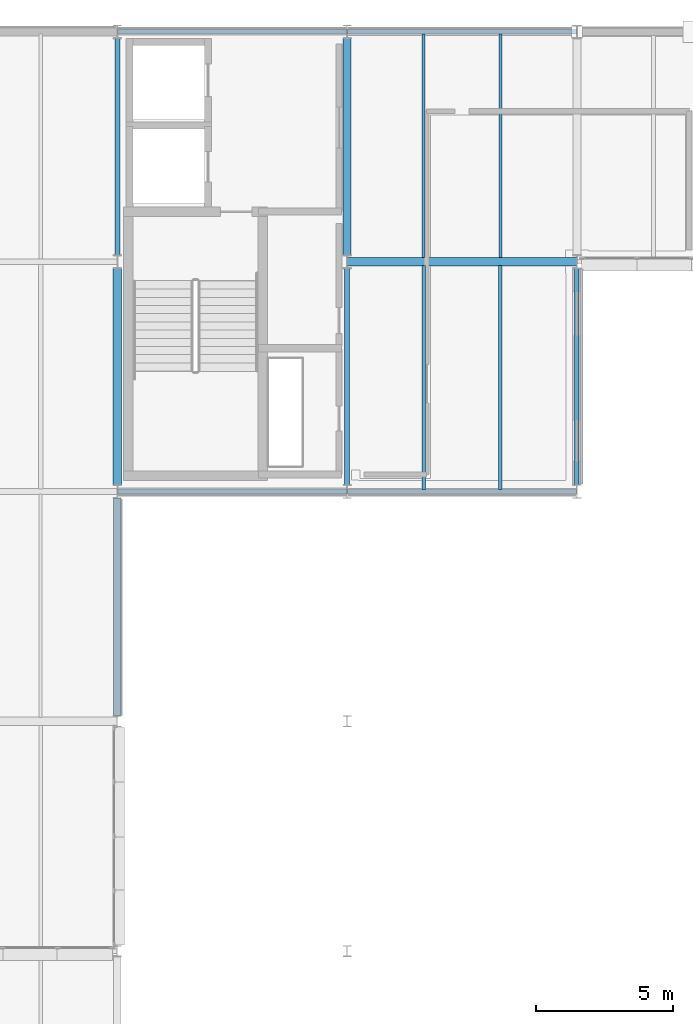
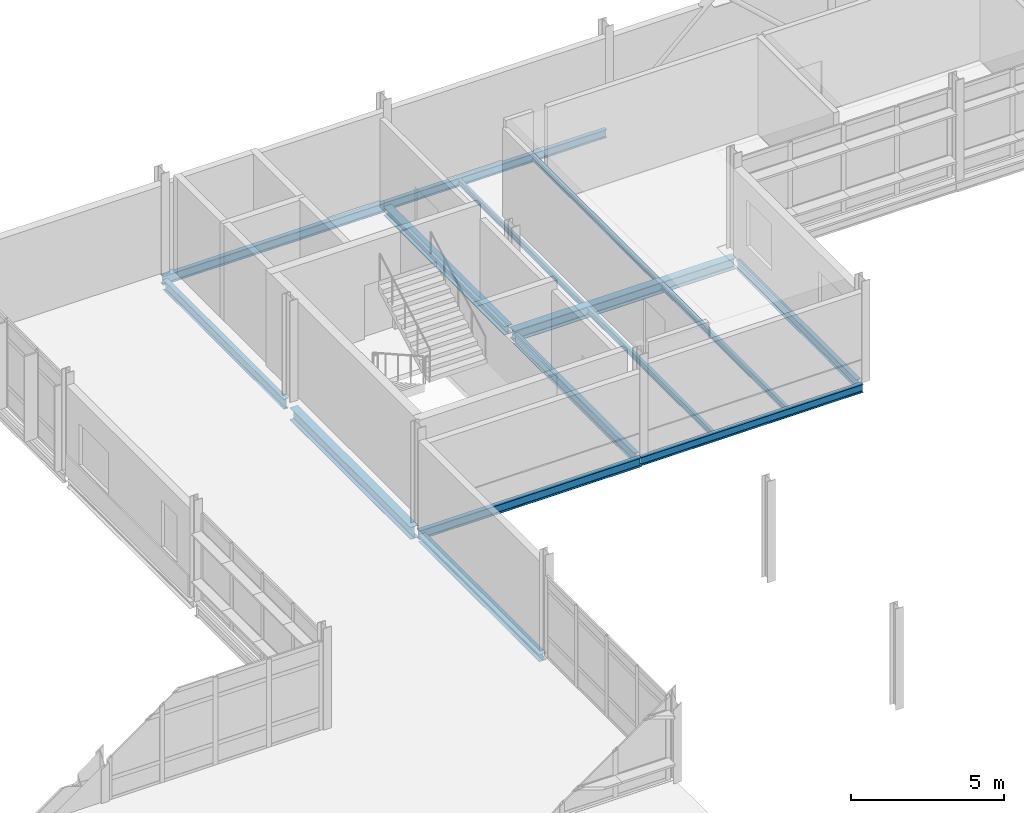
# One storey, part 52 of 151: 15 beams.
"""IFC4 building model written with IfcOpenShell, lengths in metres."""

import ifcopenshell
import ifcopenshell.guid

model = None  # the IFC model being written
_history = None  # IfcOwnerHistory: only IFC2X3 demands one
_inside = {}  # id of a spatial element -> (the spatial element, [elements in it])
_under = {}  # id of a project, library or spatial element -> (it, [spatial elements below it])
_declared = {}  # id of a project -> (the project, [libraries it declares])
_typed = {}  # id of a type object -> (the type object, [elements of that type])
_made_of = {}  # id of a material, layer set ... -> (it, [elements and type objects made of it])


def new_model(schema):
    """Start an empty IFC model of exactly this schema.

    Asked for "IFC4X3", IfcOpenShell would pick the latest addendum, in which some entities
    have other attributes; the version numbers below select the first issue.
    IFC2X3 requires an IfcOwnerHistory on every rooted entity: one is made here for all.
    """
    global model, _history
    if schema == "IFC4X3":
        model = ifcopenshell.file(schema_version=(4, 3, 0, 0))
    else:
        model = ifcopenshell.file(schema=schema)
    _inside.clear()
    _under.clear()
    _declared.clear()
    _typed.clear()
    _made_of.clear()
    _history = None
    if model.schema == "IFC2X3":
        org = make("IfcOrganization", Name="unknown")
        user = make(
            "IfcPersonAndOrganization",
            ThePerson=make("IfcPerson", FamilyName="unknown"),
            TheOrganization=org,
        )
        app = make(
            "IfcApplication",
            ApplicationDeveloper=org,
            Version="unknown",
            ApplicationFullName="unknown",
            ApplicationIdentifier="unknown",
        )
        _history = make(
            "IfcOwnerHistory",
            OwningUser=user,
            OwningApplication=app,
            ChangeAction="ADDED",
            CreationDate=0,
        )
    return model


def make(cls, **values):
    """One entity of the class cls with the attributes given. An attribute that is None is left unset."""
    return model.create_entity(
        cls, **{name: value for name, value in values.items() if value is not None}
    )


def rooted(cls, **values):
    """An entity with a GlobalId (a new one), such as an element, a storey or a relation."""
    return make(cls, GlobalId=ifcopenshell.guid.new(), OwnerHistory=_history, **values)


def si_unit(unit_type, name, prefix=None):
    """IfcSIUnit, for example si_unit("LENGTHUNIT", "METRE", prefix="MILLI")."""
    return make("IfcSIUnit", UnitType=unit_type, Prefix=prefix, Name=name)


def assignment(units):
    """IfcUnitAssignment: the units of a project."""
    return None if units is None else make("IfcUnitAssignment", Units=units)


def point(xyz):
    """IfcCartesianPoint."""
    return None if xyz is None else make("IfcCartesianPoint", Coordinates=xyz)


def direction(xyz):
    """IfcDirection."""
    return None if xyz is None else make("IfcDirection", DirectionRatios=xyz)


def frame(location, z_axis=None, x_axis=None):
    """IfcAxis2Placement3D, a coordinate frame: its origin and axes. An axis left out is left unset."""
    return make(
        "IfcAxis2Placement3D",
        Location=point(location),
        Axis=direction(z_axis),
        RefDirection=direction(x_axis),
    )


def frame_2d(location, x_axis=None):
    """IfcAxis2Placement2D, a coordinate frame in the plane: its origin and x axis."""
    return make(
        "IfcAxis2Placement2D", Location=point(location), RefDirection=direction(x_axis)
    )


def origin():
    """The frame at (0, 0, 0) with its axes left unset."""
    return frame((0.0, 0.0, 0.0))


def origin_2d():
    """The frame at (0, 0) in the plane with its x axis left unset."""
    return frame_2d((0.0, 0.0))


def place(relative_to, where):
    """IfcLocalPlacement: puts the frame where relative to a parent placement (None: the world)."""
    return make(
        "IfcLocalPlacement", PlacementRelTo=relative_to, RelativePlacement=where
    )


def context(
    kind, dimensions, precision=None, world=None, true_north=None, identifier=None
):
    """IfcGeometricRepresentationContext, for example the 3D "Model" context."""
    return make(
        "IfcGeometricRepresentationContext",
        ContextIdentifier=identifier,
        ContextType=kind,
        CoordinateSpaceDimension=dimensions,
        Precision=precision,
        WorldCoordinateSystem=world,
        TrueNorth=true_north,
    )


def subcontext(parent, identifier, kind, view, scale=None):
    """IfcGeometricRepresentationSubContext, for example "Body" below "Model"."""
    return make(
        "IfcGeometricRepresentationSubContext",
        ContextIdentifier=identifier,
        ContextType=kind,
        ParentContext=parent,
        TargetScale=scale,
        TargetView=view,
    )


def project(units=None, contexts=None):
    """IfcProject with its units and contexts."""
    return rooted(
        "IfcProject",
        Name="project",
        RepresentationContexts=contexts,
        UnitsInContext=assignment(units),
    )


def spatial(cls, under=None, at=None, **own):
    """A site, building, storey or space (cls), placed at a placement, below another one or the project."""
    s = rooted(cls, ObjectPlacement=at, **own)
    if under is not None:
        _under.setdefault(under.id(), (under, []))[1].append(s)
    return s


def profile(cls, at=None, kind="AREA", **sizes):
    """A parametric profile (cls). Its sizes go by their IFC names, for example OverallWidth=200.0."""
    return make(cls, ProfileType=kind, Position=at, **sizes)


def i_section(**sizes):
    """IfcIShapeProfileDef."""
    return profile("IfcIShapeProfileDef", **sizes)


def extrude(swept, where, along, depth):
    """IfcExtrudedAreaSolid: the profile swept, set in the frame where, extruded along a direction by depth."""
    return make(
        "IfcExtrudedAreaSolid",
        SweptArea=swept,
        Position=where,
        ExtrudedDirection=direction(along),
        Depth=depth,
    )


def shape(context_of_items, identifier, shape_type, items):
    """IfcShapeRepresentation: the items that make up one representation, for example the "Body"."""
    return make(
        "IfcShapeRepresentation",
        ContextOfItems=context_of_items,
        RepresentationIdentifier=identifier,
        RepresentationType=shape_type,
        Items=items,
    )


def material(Name=None, Category=None):
    """IfcMaterial."""
    return make("IfcMaterial", Name=Name, Category=Category)


def material_profile(
    of_material, cross_section, Name=None, Category=None, Priority=None
):
    """IfcMaterialProfile: a cross section and its material."""
    return make(
        "IfcMaterialProfile",
        Name=Name,
        Material=of_material,
        Profile=cross_section,
        Priority=Priority,
        Category=Category,
    )


def profile_set(profiles, Name=None, composite=None):
    """IfcMaterialProfileSet."""
    return make(
        "IfcMaterialProfileSet",
        Name=Name,
        MaterialProfiles=profiles,
        CompositeProfile=composite,
    )


def made_of(thing, what):
    """Note that an element or type object is made of a material, layer set ...; save() writes the relation."""
    if what is not None:
        _made_of.setdefault(what.id(), (what, []))[1].append(thing)
    return thing


def type_object(cls, material=None, **own):
    """A type object (cls), such as IfcWallType, which elements share."""
    return made_of(rooted(cls, **own), material)


def element(
    cls,
    number,
    at=None,
    inside=None,
    cuts=None,
    type_object=None,
    material=None,
    context=None,
    identifier="Body",
    shape_type=None,
    held_by="IfcProductDefinitionShape",
    body=None,
    shapes=None,
    **own,
):
    """One element of the class cls, such as IfcWall. Its Tag is "e" and its number.

    at: its placement. inside: the storey or other place that contains it. cuts: it is an
    opening in that element (IfcRelVoidsElement). A single representation is given by context,
    identifier, shape_type and body (its items); several are given by shapes. held_by: the class
    of the entity that holds the representations. save() writes the other relations.
    """
    e = rooted(cls, Tag="e%d" % number, ObjectPlacement=at, **own)
    if body is not None:
        shapes = [shape(context, identifier, shape_type, body)]
    if shapes is not None:
        e.Representation = make(held_by, Representations=shapes)
    if inside is not None:
        _inside.setdefault(inside.id(), (inside, []))[1].append(e)
    if cuts is not None:
        rooted(
            "IfcRelVoidsElement", RelatingBuildingElement=cuts, RelatedOpeningElement=e
        )
    if type_object is not None:
        _typed.setdefault(type_object.id(), (type_object, []))[1].append(e)
    return made_of(e, material)


def aggregate(whole, parts):
    """IfcRelAggregates: a whole, such as a stair, and the parts it consists of."""
    return rooted("IfcRelAggregates", RelatingObject=whole, RelatedObjects=parts)


def save(model, path):
    """Write the relations noted so far, then the file.

    IfcRelAggregates (storeys below a building ...), IfcRelContainedInSpatialStructure (elements
    in a storey), IfcRelDefinesByType, IfcRelAssociatesMaterial and IfcRelDeclares: one each for
    every whole, place, type object, material and project.
    """
    for whole, parts in _under.values():
        aggregate(whole, parts)
    for where, things in _inside.values():
        rooted(
            "IfcRelContainedInSpatialStructure",
            RelatedElements=things,
            RelatingStructure=where,
        )
    for kind, things in _typed.values():
        rooted("IfcRelDefinesByType", RelatedObjects=things, RelatingType=kind)
    for what, things in _made_of.values():
        rooted("IfcRelAssociatesMaterial", RelatedObjects=things, RelatingMaterial=what)
    for by, libraries in _declared.values():
        rooted("IfcRelDeclares", RelatingContext=by, RelatedDefinitions=libraries)
    model.write(path)


model = new_model("IFC4")

# Units and contexts
model_context = context("Model", 3, precision=1e-05, world=origin(), true_north=direction((0.0, 1.0)))
body_context = subcontext(model_context, "Body", "Model", "MODEL_VIEW")
ifc_project = project(units=[si_unit("LENGTHUNIT", "METRE"), si_unit("AREAUNIT", "SQUARE_METRE"), si_unit("VOLUMEUNIT", "CUBIC_METRE"), si_unit("PLANEANGLEUNIT", "RADIAN"), si_unit("MASSUNIT", "GRAM", prefix="KILO")], contexts=[model_context])

# Site, building, storey
site_placement = place(None, origin())
site = spatial("IfcSite", under=ifc_project, at=site_placement, CompositionType="ELEMENT")
building_placement = place(site_placement, origin())
building = spatial("IfcBuilding", under=site, at=building_placement, Name="Mersafa Astral City Hall", CompositionType="ELEMENT")
storey_placement = place(building_placement, frame((0.0, 0.0, 9.89990234375)))
storey = spatial("IfcBuildingStorey", under=building, at=storey_placement, Name="L02", CompositionType="ELEMENT", Elevation=9.89990234375)

# Beams
ifc_material = material(Name="Steel S355", Category="steel")
ifc_material_profile_1 = material_profile(ifc_material, i_section(OverallWidth=0.300048828125, OverallDepth=0.35009765625, WebThickness=0.010009765625, FlangeThickness=0.017578125, FilletRadius=0.027099609375, at=origin_2d()), Name="HEA 360")
ifc_profile_set_1 = profile_set([ifc_material_profile_1], Name="Steel S355")
beam_type_1 = type_object("IfcBeamType", Name="STR-BM-HEA360", PredefinedType="BEAM", material=ifc_profile_set_1)
beam_1_placement = place(storey_placement, frame((50.39990234375, 117.844970703125, -0.375), z_axis=(0.0, 1.0, 0.0), x_axis=(-1.0, 0.0, 0.0)))
element("IfcBeam", 1, at=beam_1_placement, inside=storey, type_object=beam_type_1, Name="L02 Primary girder Y 6-14", PredefinedType="BEAM", context=body_context, shape_type="SweptSolid", body=[
    extrude(i_section(OverallWidth=0.300048828125, OverallDepth=0.35009765625, WebThickness=0.010009765625, FlangeThickness=0.017578125, FilletRadius=0.027099609375, at=origin_2d()), origin(), (0.0, 0.0, 1.0), 7.909912109375),
])
ifc_material_profile_2 = material_profile(ifc_material, i_section(OverallWidth=0.300048828125, OverallDepth=0.43994140625, WebThickness=0.011474609375, FlangeThickness=0.02099609375, FilletRadius=0.027099609375, at=origin_2d()), Name="HEA 450")
ifc_profile_set_2 = profile_set([ifc_material_profile_2], Name="Steel S355")
beam_type_2 = type_object("IfcBeamType", Name="STR-BM-HEA450", PredefinedType="BEAM", material=ifc_profile_set_2)
beam_2_placement = place(storey_placement, frame((50.403076171875, 117.60009765625, -0.419921875), z_axis=(1.0, 0.0, 0.0), x_axis=(0.0, 1.0, 0.0)))
element("IfcBeam", 2, at=beam_2_placement, inside=storey, type_object=beam_type_2, Name="L02 Primary girder X 6-14", PredefinedType="BEAM", context=body_context, shape_type="SweptSolid", body=[
    extrude(i_section(OverallWidth=0.300048828125, OverallDepth=0.43994140625, WebThickness=0.011474609375, FlangeThickness=0.02099609375, FilletRadius=0.027099609375, at=origin_2d()), origin(), (0.0, 0.0, 1.0), 8.39404296875),
])
ifc_material_profile_3 = material_profile(ifc_material, i_section(OverallWidth=0.300048828125, OverallDepth=0.489990234375, WebThickness=0.011962890625, FlangeThickness=0.02294921875, FilletRadius=0.027099609375, at=origin_2d()), Name="HEA 500")
ifc_profile_set_3 = profile_set([ifc_material_profile_3], Name="Steel S355")
beam_type_3 = type_object("IfcBeamType", Name="STR-BM-HEA500", PredefinedType="BEAM", material=ifc_profile_set_3)
beam_3_placement = place(storey_placement, frame((42.0, 109.445068359375, -0.44482421875), z_axis=(0.0, 1.0, 0.0), x_axis=(-1.0, 0.0, 0.0)))
element("IfcBeam", 3, at=beam_3_placement, inside=storey, type_object=beam_type_3, Name="L02 Primary girder Y 5-13", PredefinedType="BEAM", context=body_context, shape_type="SweptSolid", body=[
    extrude(i_section(OverallWidth=0.300048828125, OverallDepth=0.489990234375, WebThickness=0.011962890625, FlangeThickness=0.02294921875, FilletRadius=0.027099609375, at=origin_2d()), origin(), (0.0, 0.0, 1.0), 7.909912109375),
])
ifc_material_profile_4 = material_profile(ifc_material, i_section(OverallWidth=0.179931640625, OverallDepth=0.39990234375, WebThickness=0.008544921875, FlangeThickness=0.013427734375, FilletRadius=0.02099609375, at=origin_2d()), Name="IPE 400")
ifc_profile_set_4 = profile_set([ifc_material_profile_4], Name="Steel S355")
beam_type_4 = type_object("IfcBeamType", Name="STR-BM-IPE400", PredefinedType="BEAM", material=ifc_profile_set_4)
for number, where, z_axis, x_axis, name in (
    (4, (42.0, 117.844970703125, -0.39990234375), (0.0, 1.0, 0.0), (-1.0, 0.0, 0.0), "L02 Primary girder Y 5-14"),
    (5, (50.39990234375, 109.445068359375, -0.39990234375), (0.0, 1.0, 0.0), (-1.0, 0.0, 0.0), "L02 Primary girder Y 6-13"),
):
    element("IfcBeam", number, at=place(storey_placement, frame(where, z_axis=z_axis, x_axis=x_axis)), inside=storey, type_object=beam_type_4, Name=name, PredefinedType="BEAM", context=body_context, shape_type="SweptSolid", body=[
        extrude(i_section(OverallWidth=0.179931640625, OverallDepth=0.39990234375, WebThickness=0.008544921875, FlangeThickness=0.013427734375, FilletRadius=0.02099609375, at=origin_2d()), origin(), (0.0, 0.0, 1.0), 7.909912109375),
    ])
ifc_material_profile_5 = material_profile(ifc_material, i_section(OverallWidth=0.110107421875, OverallDepth=0.219970703125, WebThickness=0.005859375, FlangeThickness=0.00927734375, FilletRadius=0.011962890625, at=origin_2d()), Name="IPE 220")
ifc_profile_set_5 = profile_set([ifc_material_profile_5], Name="Steel S355")
beam_type_5 = type_object("IfcBeamType", Name="STR-BM-JOIST-IPE220", PredefinedType="JOIST", material=ifc_profile_set_5)
for number, where, z_axis, x_axis, name in (
    (6, (53.199951171875, 117.7451171875, -0.309814453125), (0.0, 1.0, 0.0), (-1.0, 0.0, 0.0), "L02 Composite secondary floor joist 424"),
    (7, (56.0, 117.7451171875, -0.309814453125), (0.0, 1.0, 0.0), (-1.0, 0.0, 0.0), "L02 Composite secondary floor joist 425"),
):
    element("IfcBeam", number, at=place(storey_placement, frame(where, z_axis=z_axis, x_axis=x_axis)), inside=storey, type_object=beam_type_5, Name=name, PredefinedType="JOIST", context=body_context, shape_type="SweptSolid", body=[
        extrude(i_section(OverallWidth=0.110107421875, OverallDepth=0.219970703125, WebThickness=0.005859375, FlangeThickness=0.00927734375, FilletRadius=0.011962890625, at=origin_2d()), origin(), (0.0, 0.0, 1.0), 8.179931640625),
    ])
ifc_material_profile_6 = material_profile(ifc_material, i_section(OverallWidth=0.1201171875, OverallDepth=0.239990234375, WebThickness=0.006103515625, FlangeThickness=0.009765625, FilletRadius=0.014892578125, at=origin_2d()), Name="IPE 240")
ifc_profile_set_6 = profile_set([ifc_material_profile_6], Name="Steel S355")
beam_type_6 = type_object("IfcBeamType", Name="STR-BM-JOIST-IPE240", PredefinedType="JOIST", material=ifc_profile_set_6)
for number, where, z_axis, x_axis, name in (
    (8, (53.199951171875, 109.27490234375, -0.31982421875), (0.0, 1.0, 0.0), (-1.0, 0.0, 0.0), "L02 Composite secondary floor joist 422"),
    (9, (56.0, 109.27490234375, -0.31982421875), (0.0, 1.0, 0.0), (-1.0, 0.0, 0.0), "L02 Composite secondary floor joist 423"),
):
    element("IfcBeam", number, at=place(storey_placement, frame(where, z_axis=z_axis, x_axis=x_axis)), inside=storey, type_object=beam_type_6, Name=name, PredefinedType="JOIST", context=body_context, shape_type="SweptSolid", body=[
        extrude(i_section(OverallWidth=0.1201171875, OverallDepth=0.239990234375, WebThickness=0.006103515625, FlangeThickness=0.009765625, FilletRadius=0.014892578125, at=origin_2d()), origin(), (0.0, 0.0, 1.0), 8.18017578125),
    ])
ifc_material_profile_7 = material_profile(ifc_material, i_section(OverallWidth=0.280029296875, OverallDepth=0.27001953125, WebThickness=0.008056640625, FlangeThickness=0.012939453125, FilletRadius=0.02392578125, at=origin_2d()), Name="HEA 280")
ifc_profile_set_7 = profile_set([ifc_material_profile_7], Name="Steel S355")
beam_type_7 = type_object("IfcBeamType", Name="STR-BM-SPANDREL-HEA280", PredefinedType="SPANDREL", material=ifc_profile_set_7)
beam_4_placement = place(storey_placement, frame((42.0, 101.02001953125, -0.3349609375), z_axis=(0.0, 1.0, 0.0), x_axis=(-1.0, 0.0, 0.0)))
element("IfcBeam", 10, at=beam_4_placement, inside=storey, type_object=beam_type_7, Name="L02 Primary girder Y 5-12", PredefinedType="SPANDREL", context=body_context, shape_type="SweptSolid", body=[
    extrude(i_section(OverallWidth=0.280029296875, OverallDepth=0.27001953125, WebThickness=0.008056640625, FlangeThickness=0.012939453125, FilletRadius=0.02392578125, at=origin_2d()), origin(), (0.0, 0.0, 1.0), 7.93505859375),
])
ifc_material_profile_8 = material_profile(ifc_material, i_section(OverallWidth=0.159912109375, OverallDepth=0.330078125, WebThickness=0.007568359375, FlangeThickness=0.011474609375, FilletRadius=0.01806640625, at=origin_2d()), Name="IPE 330")
ifc_profile_set_8 = profile_set([ifc_material_profile_8], Name="Steel S355")
beam_type_8 = type_object("IfcBeamType", Name="STR-BM-SPANDREL-IPE330", PredefinedType="SPANDREL", material=ifc_profile_set_8)
for number, where, z_axis, x_axis, name in (
    (11, (50.403076171875, 109.199951171875, -0.364990234375), (1.0, 0.0, 0.0), (0.0, 1.0, 0.0), "L02 Primary girder X 6-13"),
    (12, (50.403076171875, 126.0, -0.364990234375), (1.0, 0.0, 0.0), (0.0, 1.0, 0.0), "L02 Primary girder X 6-15"),
):
    element("IfcBeam", number, at=place(storey_placement, frame(where, z_axis=z_axis, x_axis=x_axis)), inside=storey, type_object=beam_type_8, Name=name, PredefinedType="SPANDREL", context=body_context, shape_type="SweptSolid", body=[
        extrude(i_section(OverallWidth=0.159912109375, OverallDepth=0.330078125, WebThickness=0.007568359375, FlangeThickness=0.011474609375, FilletRadius=0.01806640625, at=origin_2d()), origin(), (0.0, 0.0, 1.0), 8.39404296875),
    ])
ifc_material_profile_9 = material_profile(ifc_material, i_section(OverallWidth=0.169921875, OverallDepth=0.360107421875, WebThickness=0.008056640625, FlangeThickness=0.0126953125, FilletRadius=0.01806640625, at=origin_2d()), Name="IPE 360")
ifc_profile_set_9 = profile_set([ifc_material_profile_9], Name="Steel S355")
beam_type_9 = type_object("IfcBeamType", Name="STR-BM-SPANDREL-IPE360", PredefinedType="SPANDREL", material=ifc_profile_set_9)
for number, where, z_axis, x_axis, name in (
    (13, (42.0029296875, 109.199951171875, -0.3798828125), (1.0, 0.0, 0.0), (0.0, 1.0, 0.0), "L02 Primary girder X 5-13"),
    (14, (42.0029296875, 126.0, -0.3798828125), (1.0, 0.0, 0.0), (0.0, 1.0, 0.0), "L02 Primary girder X 5-15"),
):
    element("IfcBeam", number, at=place(storey_placement, frame(where, z_axis=z_axis, x_axis=x_axis)), inside=storey, type_object=beam_type_9, Name=name, PredefinedType="SPANDREL", context=body_context, shape_type="SweptSolid", body=[
        extrude(i_section(OverallWidth=0.169921875, OverallDepth=0.360107421875, WebThickness=0.008056640625, FlangeThickness=0.0126953125, FilletRadius=0.01806640625, at=origin_2d()), origin(), (0.0, 0.0, 1.0), 8.39404296875),
    ])
beam_5_placement = place(storey_placement, frame((58.800048828125, 109.445068359375, -0.3798828125), z_axis=(0.0, 1.0, 0.0), x_axis=(-1.0, 0.0, 0.0)))
element("IfcBeam", 15, at=beam_5_placement, inside=storey, type_object=beam_type_9, Name="L02 Primary girder Y 7-13", PredefinedType="SPANDREL", context=body_context, shape_type="SweptSolid", body=[
    extrude(i_section(OverallWidth=0.169921875, OverallDepth=0.360107421875, WebThickness=0.008056640625, FlangeThickness=0.0126953125, FilletRadius=0.01806640625, at=origin_2d()), origin(), (0.0, 0.0, 1.0), 7.909912109375),
])

save(model, "model.ifc")
